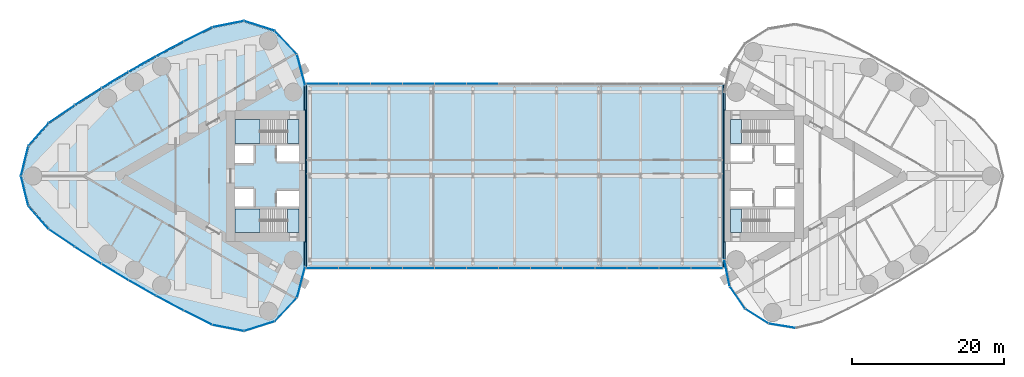
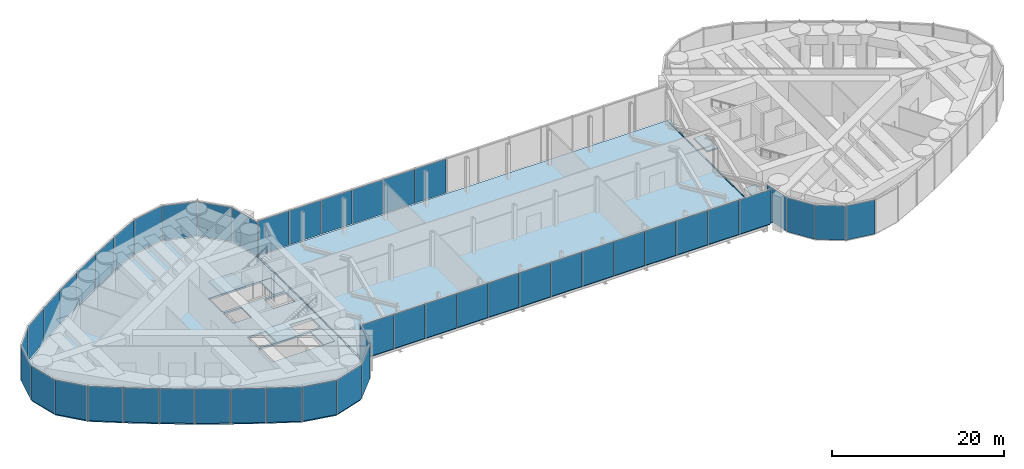
# One storey, part 13 of 19: 49 plates, 8 slabs, 8 elements without a shape of their own.
"""IFC4 building model written with IfcOpenShell, lengths in metres."""

from ifc_helpers import new_model, si_unit, direction, frame, origin, origin_2d, place, context, subcontext, project, spatial, polyline, rectangle, outline, extrude, material, layer, layer_set, type_object, element, aggregate, save


model = new_model("IFC4")

# Units and contexts
model_context = context("Model", 3, precision=1e-05, world=origin(), true_north=direction((0.0, 1.0)))
body_context = subcontext(model_context, "Body", "Model", "MODEL_VIEW")
ifc_project = project(units=[si_unit("LENGTHUNIT", "METRE"), si_unit("AREAUNIT", "SQUARE_METRE"), si_unit("VOLUMEUNIT", "CUBIC_METRE"), si_unit("PLANEANGLEUNIT", "RADIAN"), si_unit("MASSUNIT", "GRAM", prefix="KILO")], contexts=[model_context])

# Site, building, storey
site_placement = place(None, origin())
site = spatial("IfcSite", under=ifc_project, at=site_placement, CompositionType="ELEMENT")
building_placement = place(site_placement, origin())
building = spatial("IfcBuilding", under=site, at=building_placement, Name="Lancet Gate Hotel", CompositionType="ELEMENT")
storey_placement = place(building_placement, frame((0.0, 0.0, 263.300048828125)))
storey = spatial("IfcBuildingStorey", under=building, at=storey_placement, Name="L69", CompositionType="ELEMENT", Elevation=263.300048828125)

# Slabs
ifc_material_1 = material(Name="Concrete C40/50", Category="concrete")
ifc_layer_1 = layer(ifc_material_1, 0.199951171875)
ifc_layer_set_1 = layer_set([ifc_layer_1], Name="Composite floor slab 200")
slab_type_1 = type_object("IfcSlabType", Name="Composite floor slab 200", PredefinedType="FLOOR", material=ifc_layer_set_1)
slab_1_placement = place(storey_placement, frame((0.0, 0.0, -0.199951171875)))
element("IfcSlab", 1, at=slab_1_placement, inside=storey, type_object=slab_type_1, Name="Bridge block L69 floor slab", PredefinedType="FLOOR", context=body_context, shape_type="SweptSolid", body=[
    extrude(outline(polyline([(27.35009765625, -12.0), (27.35009765625, 12.0), (-27.35009765625, 12.0), (-27.35009765625, -12.0), (27.35009765625, -12.0)])), origin(), (0.0, 0.0, 1.0), 0.199951171875),
])
ifc_material_2 = material(Name="Concrete C50/60", Category="concrete")
ifc_layer_2 = layer(ifc_material_2, 0.25)
ifc_layer_set_2 = layer_set([ifc_layer_2], Name="Floor slab 250")
slab_type_2 = type_object("IfcSlabType", Name="Floor slab 250", PredefinedType="FLOOR", material=ifc_layer_set_2)
slab_2_placement = place(storey_placement, frame((0.0, 0.0, -0.25)))
element("IfcSlab", 2, at=slab_2_placement, inside=storey, type_object=slab_type_2, Name="T1 L69 floor slab", PredefinedType="FLOOR", context=body_context, shape_type="SweptSolid", body=[
    extrude(outline(polyline([(-27.6201171875, 8.60009765625), (-27.6201171875, 11.84619140625), (-28.668701171875, 15.912353515625), (-31.542236328125, 18.95263671875), (-35.52783203125, 20.22412109375), (-39.645751953125, 19.40673828125), (-43.344482421875, 17.565673828125), (-47.005126953125, 15.618896484375), (-50.61181640625, 13.574462890625), (-54.162353515625, 11.43359375), (-57.654052734375, 9.197998046875), (-61.072998046875, 6.876708984375), (-63.71240234375, 3.871337890625), (-64.66064453125, 0.0), (-63.71240234375, -3.871337890625), (-61.072998046875, -6.876708984375), (-57.654052734375, -9.197998046875), (-54.162353515625, -11.43359375), (-50.61181640625, -13.574462890625), (-47.005126953125, -15.618896484375), (-43.344482421875, -17.565673828125), (-39.645751953125, -19.40673828125), (-35.52783203125, -20.22412109375), (-31.542236328125, -18.95263671875), (-28.668701171875, -15.912353515625), (-27.6201171875, -11.84619140625), (-27.6201171875, -8.60009765625), (-27.5, -8.60009765625), (-27.5, -8.199951171875), (-27.5, 8.199951171875), (-27.5, 8.60009765625), (-27.6201171875, 8.60009765625)]), holes=[polyline([(-28.300048828125, 7.39990234375), (-36.699951171875, 7.39990234375), (-36.699951171875, 4.300048828125), (-28.300048828125, 4.300048828125), (-28.300048828125, 7.39990234375)]), polyline([(-28.300048828125, 1.89990234375), (-28.300048828125, 4.0), (-31.199951171875, 4.0), (-31.199951171875, 1.89990234375), (-28.300048828125, 1.89990234375)]), polyline([(-34.25, 1.64990234375), (-34.25, 4.0), (-36.699951171875, 4.0), (-36.699951171875, 1.64990234375), (-34.25, 1.64990234375)]), polyline([(-34.25, -1.64990234375), (-36.699951171875, -1.64990234375), (-36.699951171875, -4.0), (-34.25, -4.0), (-34.25, -1.64990234375)]), polyline([(-28.300048828125, -4.0), (-28.300048828125, -1.89990234375), (-31.199951171875, -1.89990234375), (-31.199951171875, -4.0), (-28.300048828125, -4.0)]), polyline([(-28.300048828125, -7.39990234375), (-28.300048828125, -4.300048828125), (-36.699951171875, -4.300048828125), (-36.699951171875, -7.39990234375), (-28.300048828125, -7.39990234375)])]), origin(), (0.0, 0.0, 1.0), 0.25),
])

# Curtain wall, plates
ifc_material_3 = material(Name="Aluminium curtain wall", Category="aluminium")
curtain_wall_type = type_object("IfcCurtainWallType", Name="Lantern crown glazing", PredefinedType="USERDEFINED", material=ifc_material_3)
curtain_wall_1_placement = place(storey_placement, origin())
curtain_wall_1 = element("IfcCurtainWall", 3, at=curtain_wall_1_placement, inside=storey, type_object=curtain_wall_type, Name="T1 L69 curtain wall 1", ObjectType="LANTERN GLAZING", PredefinedType="USERDEFINED")
ifc_material_4 = material(Name="Laminated low-iron glass 12-12", Category="glass")
ifc_layer_3 = layer(ifc_material_4, 0.02392578125)
ifc_layer_set_3 = layer_set([ifc_layer_3], Name="Lantern glass panel")
plate_type_1 = type_object("IfcPlateType", Name="Lantern glass panel", PredefinedType="CURTAIN_PANEL", material=ifc_layer_set_3)
plate_1_placement = place(storey_placement, frame((-28.030029296875, 13.9169921875, 0.0), z_axis=(0.0, 0.0, 1.0), x_axis=(-0.249725827997, 0.968316586056, 0.0)))
plate_1 = element("IfcPlate", 4, at=plate_1_placement, type_object=plate_type_1, Name="T1 L69 curtain wall 1 panel 1", PredefinedType="CURTAIN_PANEL", context=body_context, shape_type="SweptSolid", body=[
    extrude(rectangle(XDim=4.180419921875, YDim=0.02392578125, at=origin_2d()), origin(), (0.0, 0.0, 1.0), 4.85009765625),
])
plate_2_placement = place(storey_placement, frame((-30.018310546875, 17.514892578125, 0.0), z_axis=(0.0, 0.0, 1.0), x_axis=(-0.686882887577, 0.726768118972, 0.0)))
plate_2 = element("IfcPlate", 5, at=plate_2_placement, type_object=plate_type_1, Name="T1 L69 curtain wall 1 panel 2", PredefinedType="CURTAIN_PANEL", context=body_context, shape_type="SweptSolid", body=[
    extrude(rectangle(XDim=4.180419921875, YDim=0.02392578125, at=origin_2d()), origin(), (0.0, 0.0, 1.0), 4.85009765625),
])
plate_3_placement = place(storey_placement, frame((-33.49853515625, 19.702880859375, 0.0), z_axis=(0.0, 0.0, 1.0), x_axis=(-0.952695666833, 0.303925922549, 0.0)))
plate_3 = element("IfcPlate", 6, at=plate_3_placement, type_object=plate_type_1, Name="T1 L69 curtain wall 1 panel 3", PredefinedType="CURTAIN_PANEL", context=body_context, shape_type="SweptSolid", body=[
    extrude(rectangle(XDim=4.180419921875, YDim=0.02392578125, at=origin_2d()), origin(), (0.0, 0.0, 1.0), 4.85009765625),
])
plate_4_placement = place(storey_placement, frame((-37.602783203125, 19.9345703125, 0.0), z_axis=(0.0, 0.0, 1.0), x_axis=(-0.980856647866, -0.194731189942, 0.0)))
plate_4 = element("IfcPlate", 7, at=plate_4_placement, type_object=plate_type_1, Name="T1 L69 curtain wall 1 panel 4", PredefinedType="CURTAIN_PANEL", context=body_context, shape_type="SweptSolid", body=[
    extrude(rectangle(XDim=4.180419921875, YDim=0.02392578125, at=origin_2d()), origin(), (0.0, 0.0, 1.0), 4.85009765625),
])
plate_5_placement = place(storey_placement, frame((-41.5419921875, 18.5966796875, 0.0), z_axis=(0.0, 0.0, 1.0), x_axis=(-0.895234030262, -0.445596264639, 0.0)))
plate_5 = element("IfcPlate", 8, at=plate_5_placement, type_object=plate_type_1, Name="T1 L69 curtain wall 1 panel 5", PredefinedType="CURTAIN_PANEL", context=body_context, shape_type="SweptSolid", body=[
    extrude(rectangle(XDim=4.084228515625, YDim=0.02392578125, at=origin_2d()), origin(), (0.0, 0.0, 1.0), 4.85009765625),
])
plate_6_placement = place(storey_placement, frame((-45.23095703125, 16.6982421875, 0.0), z_axis=(0.0, 0.0, 1.0), x_axis=(-0.882915941615, -0.469531085277, 0.0)))
plate_6 = element("IfcPlate", 9, at=plate_6_placement, type_object=plate_type_1, Name="T1 L69 curtain wall 1 panel 6", PredefinedType="CURTAIN_PANEL", context=body_context, shape_type="SweptSolid", body=[
    extrude(rectangle(XDim=4.084228515625, YDim=0.02392578125, at=origin_2d()), origin(), (0.0, 0.0, 1.0), 4.85009765625),
])
plate_7_placement = place(storey_placement, frame((-48.86767578125, 14.701171875, 0.0), z_axis=(0.0, 0.0, 1.0), x_axis=(-0.869958082404, -0.493125678565, 0.0)))
plate_7 = element("IfcPlate", 10, at=plate_7_placement, type_object=plate_type_1, Name="T1 L69 curtain wall 1 panel 7", PredefinedType="CURTAIN_PANEL", context=body_context, shape_type="SweptSolid", body=[
    extrude(rectangle(XDim=4.084228515625, YDim=0.02392578125, at=origin_2d()), origin(), (0.0, 0.0, 1.0), 4.85009765625),
])
plate_8_placement = place(storey_placement, frame((-52.44921875, 12.606689453125, 0.0), z_axis=(0.0, 0.0, 1.0), x_axis=(-0.85636984205, -0.516362947574, 0.0)))
plate_8 = element("IfcPlate", 11, at=plate_8_placement, type_object=plate_type_1, Name="T1 L69 curtain wall 1 panel 8", PredefinedType="CURTAIN_PANEL", context=body_context, shape_type="SweptSolid", body=[
    extrude(rectangle(XDim=4.084228515625, YDim=0.02392578125, at=origin_2d()), origin(), (0.0, 0.0, 1.0), 4.85009765625),
])
plate_9_placement = place(storey_placement, frame((-55.972900390625, 10.416748046875, 0.0), z_axis=(0.0, 0.0, 1.0), x_axis=(-0.842161066725, -0.539226054352, 0.0)))
plate_9 = element("IfcPlate", 12, at=plate_9_placement, type_object=plate_type_1, Name="T1 L69 curtain wall 1 panel 9", PredefinedType="CURTAIN_PANEL", context=body_context, shape_type="SweptSolid", body=[
    extrude(rectangle(XDim=4.084228515625, YDim=0.02392578125, at=origin_2d()), origin(), (0.0, 0.0, 1.0), 4.85009765625),
])
plate_10_placement = place(storey_placement, frame((-59.4365234375, 8.1328125, 0.0), z_axis=(0.0, 0.0, 1.0), x_axis=(-0.827342052281, -0.561698432014, 0.0)))
plate_10 = element("IfcPlate", 13, at=plate_10_placement, type_object=plate_type_1, Name="T1 L69 curtain wall 1 panel 10", PredefinedType="CURTAIN_PANEL", context=body_context, shape_type="SweptSolid", body=[
    extrude(rectangle(XDim=4.084228515625, YDim=0.02392578125, at=origin_2d()), origin(), (0.0, 0.0, 1.0), 4.85009765625),
])
plate_11_placement = place(storey_placement, frame((-62.487548828125, 5.447998046875, 0.0), z_axis=(0.0, 0.0, 1.0), x_axis=(-0.659891635916, -0.751360784742, 0.0)))
plate_11 = element("IfcPlate", 14, at=plate_11_placement, type_object=plate_type_1, Name="T1 L69 curtain wall 1 panel 11", PredefinedType="CURTAIN_PANEL", context=body_context, shape_type="SweptSolid", body=[
    extrude(rectangle(XDim=3.979736328125, YDim=0.02392578125, at=origin_2d()), origin(), (0.0, 0.0, 1.0), 4.85009765625),
])
plate_12_placement = place(storey_placement, frame((-64.30322265625, 1.96435546875, 0.0), z_axis=(0.0, 0.0, 1.0), x_axis=(-0.237921018621, -0.971284504612, 0.0)))
plate_12 = element("IfcPlate", 15, at=plate_12_placement, type_object=plate_type_1, Name="T1 L69 curtain wall 1 panel 12", PredefinedType="CURTAIN_PANEL", context=body_context, shape_type="SweptSolid", body=[
    extrude(rectangle(XDim=3.979736328125, YDim=0.02392578125, at=origin_2d()), origin(), (0.0, 0.0, 1.0), 4.85009765625),
])
plate_13_placement = place(storey_placement, frame((-64.30322265625, -1.96435546875, 0.0), z_axis=(0.0, 0.0, 1.0), x_axis=(0.237921018621, -0.971284504612, 0.0)))
plate_13 = element("IfcPlate", 16, at=plate_13_placement, type_object=plate_type_1, Name="T1 L69 curtain wall 1 panel 13", PredefinedType="CURTAIN_PANEL", context=body_context, shape_type="SweptSolid", body=[
    extrude(rectangle(XDim=3.979736328125, YDim=0.02392578125, at=origin_2d()), origin(), (0.0, 0.0, 1.0), 4.85009765625),
])
plate_14_placement = place(storey_placement, frame((-62.487548828125, -5.447998046875, 0.0), z_axis=(0.0, 0.0, 1.0), x_axis=(0.659891635916, -0.751360784742, 0.0)))
plate_14 = element("IfcPlate", 17, at=plate_14_placement, type_object=plate_type_1, Name="T1 L69 curtain wall 1 panel 14", PredefinedType="CURTAIN_PANEL", context=body_context, shape_type="SweptSolid", body=[
    extrude(rectangle(XDim=3.979736328125, YDim=0.02392578125, at=origin_2d()), origin(), (0.0, 0.0, 1.0), 4.85009765625),
])
plate_15_placement = place(storey_placement, frame((-59.4365234375, -8.1328125, 0.0), z_axis=(0.0, 0.0, 1.0), x_axis=(0.827342052281, -0.561698432014, 0.0)))
plate_15 = element("IfcPlate", 18, at=plate_15_placement, type_object=plate_type_1, Name="T1 L69 curtain wall 1 panel 15", PredefinedType="CURTAIN_PANEL", context=body_context, shape_type="SweptSolid", body=[
    extrude(rectangle(XDim=4.084228515625, YDim=0.02392578125, at=origin_2d()), origin(), (0.0, 0.0, 1.0), 4.85009765625),
])
plate_16_placement = place(storey_placement, frame((-55.972900390625, -10.416748046875, 0.0), z_axis=(0.0, 0.0, 1.0), x_axis=(0.842161066725, -0.539226054352, 0.0)))
plate_16 = element("IfcPlate", 19, at=plate_16_placement, type_object=plate_type_1, Name="T1 L69 curtain wall 1 panel 16", PredefinedType="CURTAIN_PANEL", context=body_context, shape_type="SweptSolid", body=[
    extrude(rectangle(XDim=4.084228515625, YDim=0.02392578125, at=origin_2d()), origin(), (0.0, 0.0, 1.0), 4.85009765625),
])
plate_17_placement = place(storey_placement, frame((-52.44921875, -12.606689453125, 0.0), z_axis=(0.0, 0.0, 1.0), x_axis=(0.85636984205, -0.516362947574, 0.0)))
plate_17 = element("IfcPlate", 20, at=plate_17_placement, type_object=plate_type_1, Name="T1 L69 curtain wall 1 panel 17", PredefinedType="CURTAIN_PANEL", context=body_context, shape_type="SweptSolid", body=[
    extrude(rectangle(XDim=4.084228515625, YDim=0.02392578125, at=origin_2d()), origin(), (0.0, 0.0, 1.0), 4.85009765625),
])
plate_18_placement = place(storey_placement, frame((-48.86767578125, -14.701171875, 0.0), z_axis=(0.0, 0.0, 1.0), x_axis=(0.869958082404, -0.493125678565, 0.0)))
plate_18 = element("IfcPlate", 21, at=plate_18_placement, type_object=plate_type_1, Name="T1 L69 curtain wall 1 panel 18", PredefinedType="CURTAIN_PANEL", context=body_context, shape_type="SweptSolid", body=[
    extrude(rectangle(XDim=4.084228515625, YDim=0.02392578125, at=origin_2d()), origin(), (0.0, 0.0, 1.0), 4.85009765625),
])
plate_19_placement = place(storey_placement, frame((-45.23095703125, -16.6982421875, 0.0), z_axis=(0.0, 0.0, 1.0), x_axis=(0.882915941615, -0.469531085277, 0.0)))
plate_19 = element("IfcPlate", 22, at=plate_19_placement, type_object=plate_type_1, Name="T1 L69 curtain wall 1 panel 19", PredefinedType="CURTAIN_PANEL", context=body_context, shape_type="SweptSolid", body=[
    extrude(rectangle(XDim=4.084228515625, YDim=0.02392578125, at=origin_2d()), origin(), (0.0, 0.0, 1.0), 4.85009765625),
])
plate_20_placement = place(storey_placement, frame((-41.5419921875, -18.5966796875, 0.0), z_axis=(0.0, 0.0, 1.0), x_axis=(0.895234030262, -0.445596264639, 0.0)))
plate_20 = element("IfcPlate", 23, at=plate_20_placement, type_object=plate_type_1, Name="T1 L69 curtain wall 1 panel 20", PredefinedType="CURTAIN_PANEL", context=body_context, shape_type="SweptSolid", body=[
    extrude(rectangle(XDim=4.084228515625, YDim=0.02392578125, at=origin_2d()), origin(), (0.0, 0.0, 1.0), 4.85009765625),
])
plate_21_placement = place(storey_placement, frame((-37.602783203125, -19.9345703125, 0.0), z_axis=(0.0, 0.0, 1.0), x_axis=(0.980856647866, -0.194731189942, 0.0)))
plate_21 = element("IfcPlate", 24, at=plate_21_placement, type_object=plate_type_1, Name="T1 L69 curtain wall 1 panel 21", PredefinedType="CURTAIN_PANEL", context=body_context, shape_type="SweptSolid", body=[
    extrude(rectangle(XDim=4.180419921875, YDim=0.02392578125, at=origin_2d()), origin(), (0.0, 0.0, 1.0), 4.85009765625),
])
plate_22_placement = place(storey_placement, frame((-33.49853515625, -19.702880859375, 0.0), z_axis=(0.0, 0.0, 1.0), x_axis=(0.952695666833, 0.303925922549, 0.0)))
plate_22 = element("IfcPlate", 25, at=plate_22_placement, type_object=plate_type_1, Name="T1 L69 curtain wall 1 panel 22", PredefinedType="CURTAIN_PANEL", context=body_context, shape_type="SweptSolid", body=[
    extrude(rectangle(XDim=4.180419921875, YDim=0.02392578125, at=origin_2d()), origin(), (0.0, 0.0, 1.0), 4.85009765625),
])
plate_23_placement = place(storey_placement, frame((-30.018310546875, -17.514892578125, 0.0), z_axis=(0.0, 0.0, 1.0), x_axis=(0.686882887577, 0.726768118972, 0.0)))
plate_23 = element("IfcPlate", 26, at=plate_23_placement, type_object=plate_type_1, Name="T1 L69 curtain wall 1 panel 23", PredefinedType="CURTAIN_PANEL", context=body_context, shape_type="SweptSolid", body=[
    extrude(rectangle(XDim=4.180419921875, YDim=0.02392578125, at=origin_2d()), origin(), (0.0, 0.0, 1.0), 4.85009765625),
])
plate_24_placement = place(storey_placement, frame((-28.030029296875, -13.9169921875, 0.0), z_axis=(0.0, 0.0, 1.0), x_axis=(0.249725827997, 0.968316586056, 0.0)))
plate_24 = element("IfcPlate", 27, at=plate_24_placement, type_object=plate_type_1, Name="T1 L69 curtain wall 1 panel 24", PredefinedType="CURTAIN_PANEL", context=body_context, shape_type="SweptSolid", body=[
    extrude(rectangle(XDim=4.180419921875, YDim=0.02392578125, at=origin_2d()), origin(), (0.0, 0.0, 1.0), 4.85009765625),
])
aggregate(curtain_wall_1, [plate_1, plate_2, plate_3, plate_4, plate_5, plate_6, plate_7, plate_8, plate_9, plate_10, plate_11, plate_12, plate_13, plate_14, plate_15, plate_16, plate_17, plate_18, plate_19, plate_20, plate_21, plate_22, plate_23, plate_24])

curtain_wall_2_placement = place(storey_placement, origin())
curtain_wall_2 = element("IfcCurtainWall", 28, at=curtain_wall_2_placement, inside=storey, type_object=curtain_wall_type, Name="T2 L69 curtain wall 1", ObjectType="LANTERN GLAZING", PredefinedType="USERDEFINED")
plate_25_placement = place(storey_placement, frame((27.8583984375, -12.707763671875, 0.0), z_axis=(0.0, 0.0, 1.0), x_axis=(0.199533486841, -0.979891008036, 0.0)))
plate_25 = element("IfcPlate", 29, at=plate_25_placement, type_object=plate_type_1, Name="T2 L69 curtain wall 1 panel 1", PredefinedType="CURTAIN_PANEL", context=body_context, shape_type="SweptSolid", body=[
    extrude(rectangle(XDim=3.526611328125, YDim=0.02392578125, at=origin_2d()), origin(), (0.0, 0.0, 1.0), 4.85009765625),
])
plate_26_placement = place(storey_placement, frame((29.234619140625, -15.947021484375, 0.0), z_axis=(0.0, 0.0, 1.0), x_axis=(0.566823864908, -0.823839005007, 0.0)))
plate_26 = element("IfcPlate", 30, at=plate_26_placement, type_object=plate_type_1, Name="T2 L69 curtain wall 1 panel 2", PredefinedType="CURTAIN_PANEL", context=body_context, shape_type="SweptSolid", body=[
    extrude(rectangle(XDim=3.526611328125, YDim=0.02392578125, at=origin_2d()), origin(), (0.0, 0.0, 1.0), 4.85009765625),
])
plate_27_placement = place(storey_placement, frame((31.767822265625, -18.389892578125, 0.0), z_axis=(0.0, 0.0, 1.0), x_axis=(0.843845020422, -0.536586974785, 0.0)))
plate_27 = element("IfcPlate", 31, at=plate_27_placement, type_object=plate_type_1, Name="T2 L69 curtain wall 1 panel 3", PredefinedType="CURTAIN_PANEL", context=body_context, shape_type="SweptSolid", body=[
    extrude(rectangle(XDim=3.526611328125, YDim=0.02392578125, at=origin_2d()), origin(), (0.0, 0.0, 1.0), 4.85009765625),
])
plate_28_placement = place(storey_placement, frame((35.0546875, -19.64794921875, 0.0), z_axis=(0.0, 0.0, 1.0), x_axis=(0.986480101775, -0.163881081283, 0.0)))
plate_28 = element("IfcPlate", 32, at=plate_28_placement, type_object=plate_type_1, Name="T2 L69 curtain wall 1 panel 4", PredefinedType="CURTAIN_PANEL", context=body_context, shape_type="SweptSolid", body=[
    extrude(rectangle(XDim=3.526611328125, YDim=0.02392578125, at=origin_2d()), origin(), (0.0, 0.0, 1.0), 4.85009765625),
])
aggregate(curtain_wall_2, [plate_25, plate_26, plate_27, plate_28])

curtain_wall_3_placement = place(storey_placement, origin())
curtain_wall_3 = element("IfcCurtainWall", 33, at=curtain_wall_3_placement, inside=storey, type_object=curtain_wall_type, Name="Bridge block L69 curtain wall S", ObjectType="LANTERN GLAZING", PredefinedType="USERDEFINED")
plate_29_placement = place(storey_placement, frame((-25.24609375, -12.1201171875, 0.0), z_axis=(0.0, 0.0, 1.0), x_axis=(1.0, 0.0, 0.0)))
plate_29 = element("IfcPlate", 34, at=plate_29_placement, type_object=plate_type_1, Name="Bridge block L69 curtain wall S panel 1", PredefinedType="CURTAIN_PANEL", context=body_context, shape_type="SweptSolid", body=[
    extrude(rectangle(XDim=4.142578125, YDim=0.02392578125, at=origin_2d()), origin(), (0.0, 0.0, 1.0), 4.85009765625),
])
plate_30_placement = place(storey_placement, frame((-21.03857421875, -12.1201171875, 0.0), z_axis=(0.0, 0.0, 1.0), x_axis=(1.0, 0.0, 0.0)))
plate_30 = element("IfcPlate", 35, at=plate_30_placement, type_object=plate_type_1, Name="Bridge block L69 curtain wall S panel 2", PredefinedType="CURTAIN_PANEL", context=body_context, shape_type="SweptSolid", body=[
    extrude(rectangle(XDim=4.142578125, YDim=0.02392578125, at=origin_2d()), origin(), (0.0, 0.0, 1.0), 4.85009765625),
])
plate_31_placement = place(storey_placement, frame((-16.830810546875, -12.1201171875, 0.0), z_axis=(0.0, 0.0, 1.0), x_axis=(1.0, 0.0, 0.0)))
plate_31 = element("IfcPlate", 36, at=plate_31_placement, type_object=plate_type_1, Name="Bridge block L69 curtain wall S panel 3", PredefinedType="CURTAIN_PANEL", context=body_context, shape_type="SweptSolid", body=[
    extrude(rectangle(XDim=4.142578125, YDim=0.02392578125, at=origin_2d()), origin(), (0.0, 0.0, 1.0), 4.85009765625),
])
plate_32_placement = place(storey_placement, frame((-12.623046875, -12.1201171875, 0.0), z_axis=(0.0, 0.0, 1.0), x_axis=(1.0, 0.0, 0.0)))
plate_32 = element("IfcPlate", 37, at=plate_32_placement, type_object=plate_type_1, Name="Bridge block L69 curtain wall S panel 4", PredefinedType="CURTAIN_PANEL", context=body_context, shape_type="SweptSolid", body=[
    extrude(rectangle(XDim=4.142578125, YDim=0.02392578125, at=origin_2d()), origin(), (0.0, 0.0, 1.0), 4.85009765625),
])
plate_33_placement = place(storey_placement, frame((-8.415283203125, -12.1201171875, 0.0), z_axis=(0.0, 0.0, 1.0), x_axis=(1.0, 0.0, 0.0)))
plate_33 = element("IfcPlate", 38, at=plate_33_placement, type_object=plate_type_1, Name="Bridge block L69 curtain wall S panel 5", PredefinedType="CURTAIN_PANEL", context=body_context, shape_type="SweptSolid", body=[
    extrude(rectangle(XDim=4.142578125, YDim=0.02392578125, at=origin_2d()), origin(), (0.0, 0.0, 1.0), 4.85009765625),
])
plate_34_placement = place(storey_placement, frame((-4.207763671875, -12.1201171875, 0.0), z_axis=(0.0, 0.0, 1.0), x_axis=(1.0, 0.0, 0.0)))
plate_34 = element("IfcPlate", 39, at=plate_34_placement, type_object=plate_type_1, Name="Bridge block L69 curtain wall S panel 6", PredefinedType="CURTAIN_PANEL", context=body_context, shape_type="SweptSolid", body=[
    extrude(rectangle(XDim=4.142578125, YDim=0.02392578125, at=origin_2d()), origin(), (0.0, 0.0, 1.0), 4.85009765625),
])
plate_35_placement = place(storey_placement, frame((0.0, -12.1201171875, 0.0), z_axis=(0.0, 0.0, 1.0), x_axis=(1.0, 0.0, 0.0)))
plate_35 = element("IfcPlate", 40, at=plate_35_placement, type_object=plate_type_1, Name="Bridge block L69 curtain wall S panel 7", PredefinedType="CURTAIN_PANEL", context=body_context, shape_type="SweptSolid", body=[
    extrude(rectangle(XDim=4.142578125, YDim=0.02392578125, at=origin_2d()), origin(), (0.0, 0.0, 1.0), 4.85009765625),
])
plate_36_placement = place(storey_placement, frame((4.207763671875, -12.1201171875, 0.0), z_axis=(0.0, 0.0, 1.0), x_axis=(1.0, 0.0, 0.0)))
plate_36 = element("IfcPlate", 41, at=plate_36_placement, type_object=plate_type_1, Name="Bridge block L69 curtain wall S panel 8", PredefinedType="CURTAIN_PANEL", context=body_context, shape_type="SweptSolid", body=[
    extrude(rectangle(XDim=4.142578125, YDim=0.02392578125, at=origin_2d()), origin(), (0.0, 0.0, 1.0), 4.85009765625),
])
plate_37_placement = place(storey_placement, frame((8.415283203125, -12.1201171875, 0.0), z_axis=(0.0, 0.0, 1.0), x_axis=(1.0, 0.0, 0.0)))
plate_37 = element("IfcPlate", 42, at=plate_37_placement, type_object=plate_type_1, Name="Bridge block L69 curtain wall S panel 9", PredefinedType="CURTAIN_PANEL", context=body_context, shape_type="SweptSolid", body=[
    extrude(rectangle(XDim=4.142578125, YDim=0.02392578125, at=origin_2d()), origin(), (0.0, 0.0, 1.0), 4.85009765625),
])
plate_38_placement = place(storey_placement, frame((12.623046875, -12.1201171875, 0.0), z_axis=(0.0, 0.0, 1.0), x_axis=(1.0, 0.0, 0.0)))
plate_38 = element("IfcPlate", 43, at=plate_38_placement, type_object=plate_type_1, Name="Bridge block L69 curtain wall S panel 10", PredefinedType="CURTAIN_PANEL", context=body_context, shape_type="SweptSolid", body=[
    extrude(rectangle(XDim=4.142578125, YDim=0.02392578125, at=origin_2d()), origin(), (0.0, 0.0, 1.0), 4.85009765625),
])
plate_39_placement = place(storey_placement, frame((16.830810546875, -12.1201171875, 0.0), z_axis=(0.0, 0.0, 1.0), x_axis=(1.0, 0.0, 0.0)))
plate_39 = element("IfcPlate", 44, at=plate_39_placement, type_object=plate_type_1, Name="Bridge block L69 curtain wall S panel 11", PredefinedType="CURTAIN_PANEL", context=body_context, shape_type="SweptSolid", body=[
    extrude(rectangle(XDim=4.142578125, YDim=0.02392578125, at=origin_2d()), origin(), (0.0, 0.0, 1.0), 4.85009765625),
])
plate_40_placement = place(storey_placement, frame((21.03857421875, -12.1201171875, 0.0), z_axis=(0.0, 0.0, 1.0), x_axis=(1.0, 0.0, 0.0)))
plate_40 = element("IfcPlate", 45, at=plate_40_placement, type_object=plate_type_1, Name="Bridge block L69 curtain wall S panel 12", PredefinedType="CURTAIN_PANEL", context=body_context, shape_type="SweptSolid", body=[
    extrude(rectangle(XDim=4.142578125, YDim=0.02392578125, at=origin_2d()), origin(), (0.0, 0.0, 1.0), 4.85009765625),
])
plate_41_placement = place(storey_placement, frame((25.24609375, -12.1201171875, 0.0), z_axis=(0.0, 0.0, 1.0), x_axis=(1.0, 0.0, 0.0)))
plate_41 = element("IfcPlate", 46, at=plate_41_placement, type_object=plate_type_1, Name="Bridge block L69 curtain wall S panel 13", PredefinedType="CURTAIN_PANEL", context=body_context, shape_type="SweptSolid", body=[
    extrude(rectangle(XDim=4.142578125, YDim=0.02392578125, at=origin_2d()), origin(), (0.0, 0.0, 1.0), 4.85009765625),
])
aggregate(curtain_wall_3, [plate_29, plate_30, plate_31, plate_32, plate_33, plate_34, plate_35, plate_36, plate_37, plate_38, plate_39, plate_40, plate_41])

curtain_wall_4_placement = place(storey_placement, origin())
curtain_wall_4 = element("IfcCurtainWall", 47, at=curtain_wall_4_placement, inside=storey, type_object=curtain_wall_type, Name="Bridge block L69 curtain wall N", ObjectType="LANTERN GLAZING", PredefinedType="USERDEFINED")
plate_42_placement = place(storey_placement, frame((-4.207763671875, 12.1201171875, 0.0), z_axis=(0.0, 0.0, 1.0), x_axis=(-1.0, 0.0, 0.0)))
plate_42 = element("IfcPlate", 48, at=plate_42_placement, type_object=plate_type_1, Name="Bridge block L69 curtain wall N panel 8", PredefinedType="CURTAIN_PANEL", context=body_context, shape_type="SweptSolid", body=[
    extrude(rectangle(XDim=4.142578125, YDim=0.02392578125, at=origin_2d()), origin(), (0.0, 0.0, 1.0), 4.85009765625),
])
plate_43_placement = place(storey_placement, frame((-8.415283203125, 12.1201171875, 0.0), z_axis=(0.0, 0.0, 1.0), x_axis=(-1.0, 0.0, 0.0)))
plate_43 = element("IfcPlate", 49, at=plate_43_placement, type_object=plate_type_1, Name="Bridge block L69 curtain wall N panel 9", PredefinedType="CURTAIN_PANEL", context=body_context, shape_type="SweptSolid", body=[
    extrude(rectangle(XDim=4.142578125, YDim=0.02392578125, at=origin_2d()), origin(), (0.0, 0.0, 1.0), 4.85009765625),
])
plate_44_placement = place(storey_placement, frame((-12.623046875, 12.1201171875, 0.0), z_axis=(0.0, 0.0, 1.0), x_axis=(-1.0, 0.0, 0.0)))
plate_44 = element("IfcPlate", 50, at=plate_44_placement, type_object=plate_type_1, Name="Bridge block L69 curtain wall N panel 10", PredefinedType="CURTAIN_PANEL", context=body_context, shape_type="SweptSolid", body=[
    extrude(rectangle(XDim=4.142578125, YDim=0.02392578125, at=origin_2d()), origin(), (0.0, 0.0, 1.0), 4.85009765625),
])
plate_45_placement = place(storey_placement, frame((-16.830810546875, 12.1201171875, 0.0), z_axis=(0.0, 0.0, 1.0), x_axis=(-1.0, 0.0, 0.0)))
plate_45 = element("IfcPlate", 51, at=plate_45_placement, type_object=plate_type_1, Name="Bridge block L69 curtain wall N panel 11", PredefinedType="CURTAIN_PANEL", context=body_context, shape_type="SweptSolid", body=[
    extrude(rectangle(XDim=4.142578125, YDim=0.02392578125, at=origin_2d()), origin(), (0.0, 0.0, 1.0), 4.85009765625),
])
plate_46_placement = place(storey_placement, frame((-21.03857421875, 12.1201171875, 0.0), z_axis=(0.0, 0.0, 1.0), x_axis=(-1.0, 0.0, 0.0)))
plate_46 = element("IfcPlate", 52, at=plate_46_placement, type_object=plate_type_1, Name="Bridge block L69 curtain wall N panel 12", PredefinedType="CURTAIN_PANEL", context=body_context, shape_type="SweptSolid", body=[
    extrude(rectangle(XDim=4.142578125, YDim=0.02392578125, at=origin_2d()), origin(), (0.0, 0.0, 1.0), 4.85009765625),
])
plate_47_placement = place(storey_placement, frame((-25.24609375, 12.1201171875, 0.0), z_axis=(0.0, 0.0, 1.0), x_axis=(-1.0, 0.0, 0.0)))
plate_47 = element("IfcPlate", 53, at=plate_47_placement, type_object=plate_type_1, Name="Bridge block L69 curtain wall N panel 13", PredefinedType="CURTAIN_PANEL", context=body_context, shape_type="SweptSolid", body=[
    extrude(rectangle(XDim=4.142578125, YDim=0.02392578125, at=origin_2d()), origin(), (0.0, 0.0, 1.0), 4.85009765625),
])
aggregate(curtain_wall_4, [plate_42, plate_43, plate_44, plate_45, plate_46, plate_47])

# Plates
ifc_material_5 = material(Name="Aluminium chequer plate", Category="aluminium")
ifc_layer_4 = layer(ifc_material_5, 0.014892578125)
ifc_layer_set_4 = layer_set([ifc_layer_4], Name="Movement joint cover plate 15")
plate_type_2 = type_object("IfcPlateType", Name="Movement joint cover plate 15", PredefinedType="SHEET", material=ifc_layer_set_4)
plate_48_placement = place(storey_placement, frame((0.0, 0.0, -0.01513671875)))
element("IfcPlate", 54, at=plate_48_placement, inside=storey, type_object=plate_type_2, Name="Movement joint cover plate T1 L69", PredefinedType="SHEET", context=body_context, shape_type="SweptSolid", body=[
    extrude(outline(polyline([(-27.35009765625, 12.0), (-27.65966796875, 12.0), (-27.6201171875, 11.84619140625), (-27.6201171875, 8.60009765625), (-27.5, 8.60009765625), (-27.5, 8.199951171875), (-27.5, -8.199951171875), (-27.5, -8.60009765625), (-27.6201171875, -8.60009765625), (-27.6201171875, -11.84619140625), (-27.65966796875, -12.0), (-27.35009765625, -12.0), (-27.35009765625, 12.0)])), origin(), (0.0, 0.0, 1.0), 0.01513671875),
])
plate_49_placement = place(storey_placement, frame((0.0, 0.0, -0.01513671875)))
element("IfcPlate", 55, at=plate_49_placement, inside=storey, type_object=plate_type_2, Name="Movement joint cover plate T2 L69", PredefinedType="SHEET", context=body_context, shape_type="SweptSolid", body=[
    extrude(outline(polyline([(27.35009765625, -12.0), (27.836669921875, -12.0), (27.6201171875, -10.93603515625), (27.6201171875, -8.60009765625), (27.5, -8.60009765625), (27.5, -8.199951171875), (27.5, 8.199951171875), (27.5, 8.60009765625), (27.6201171875, 8.60009765625), (27.6201171875, 10.93603515625), (27.836669921875, 12.0), (27.35009765625, 12.0), (27.35009765625, -12.0)])), origin(), (0.0, 0.0, 1.0), 0.01513671875),
])

# Stair, slabs
ifc_material_6 = material(Name="Exit stair 28 risers 1500")
stair_type = type_object("IfcStairType", Name="Exit stair 28 risers 1500", PredefinedType="HALF_TURN_STAIR", material=ifc_material_6)
stair_1_placement = place(storey_placement, origin())
stair_1 = element("IfcStair", 56, at=stair_1_placement, inside=storey, type_object=stair_type, Name="T1 stair 1 L69", PredefinedType="HALF_TURN_STAIR")
ifc_material_7 = material(Name="Concrete C40/50", Category="concrete")
ifc_layer_5 = layer(ifc_material_7, 0.199951171875)
ifc_layer_set_5 = layer_set([ifc_layer_5], Name="Stair landing 200")
slab_type_3 = type_object("IfcSlabType", Name="Stair landing 200", PredefinedType="LANDING", material=ifc_layer_set_5)
slab_3_placement = place(storey_placement, frame((0.0, 0.0, -0.199951171875)))
slab_3 = element("IfcSlab", 57, at=slab_3_placement, type_object=slab_type_3, Name="ST1 landing 1", PredefinedType="LANDING", context=body_context, shape_type="SweptSolid", body=[
    extrude(outline(polyline([(-28.300048828125, 7.39990234375), (-29.800048828125, 7.39990234375), (-29.800048828125, 4.300048828125), (-28.300048828125, 4.300048828125), (-28.300048828125, 7.39990234375)])), origin(), (0.0, 0.0, 1.0), 0.199951171875),
])
slab_4_placement = place(storey_placement, frame((0.0, 0.0, 2.300048828125)))
slab_4 = element("IfcSlab", 58, at=slab_4_placement, type_object=slab_type_3, Name="ST1 landing 2", PredefinedType="LANDING", context=body_context, shape_type="SweptSolid", body=[
    extrude(outline(polyline([(-33.43994140625, 7.39990234375), (-36.699951171875, 7.39990234375), (-36.699951171875, 4.300048828125), (-33.43994140625, 4.300048828125), (-33.43994140625, 7.39990234375)])), origin(), (0.0, 0.0, 1.0), 0.199951171875),
])
aggregate(stair_1, [slab_3, slab_4])

stair_2_placement = place(storey_placement, origin())
stair_2 = element("IfcStair", 59, at=stair_2_placement, inside=storey, type_object=stair_type, Name="T1 stair 2 L69", PredefinedType="HALF_TURN_STAIR")
slab_5_placement = place(storey_placement, frame((0.0, 0.0, -0.199951171875)))
slab_5 = element("IfcSlab", 60, at=slab_5_placement, type_object=slab_type_3, Name="ST2 landing 1", PredefinedType="LANDING", context=body_context, shape_type="SweptSolid", body=[
    extrude(outline(polyline([(-28.300048828125, -4.300048828125), (-29.800048828125, -4.300048828125), (-29.800048828125, -7.39990234375), (-28.300048828125, -7.39990234375), (-28.300048828125, -4.300048828125)])), origin(), (0.0, 0.0, 1.0), 0.199951171875),
])
slab_6_placement = place(storey_placement, frame((0.0, 0.0, 2.300048828125)))
slab_6 = element("IfcSlab", 61, at=slab_6_placement, type_object=slab_type_3, Name="ST2 landing 2", PredefinedType="LANDING", context=body_context, shape_type="SweptSolid", body=[
    extrude(outline(polyline([(-33.43994140625, -4.300048828125), (-36.699951171875, -4.300048828125), (-36.699951171875, -7.39990234375), (-33.43994140625, -7.39990234375), (-33.43994140625, -4.300048828125)])), origin(), (0.0, 0.0, 1.0), 0.199951171875),
])
aggregate(stair_2, [slab_5, slab_6])

# Stair, slab
stair_3_placement = place(storey_placement, origin())
stair_3 = element("IfcStair", 62, at=stair_3_placement, inside=storey, type_object=stair_type, Name="T2 stair 1 L69", PredefinedType="HALF_TURN_STAIR")
slab_7_placement = place(storey_placement, frame((0.0, 0.0, -0.199951171875)))
slab_7 = element("IfcSlab", 63, at=slab_7_placement, type_object=slab_type_3, Name="ST3 landing 1", PredefinedType="LANDING", context=body_context, shape_type="SweptSolid", body=[
    extrude(outline(polyline([(28.300048828125, -7.39990234375), (29.800048828125, -7.39990234375), (29.800048828125, -4.300048828125), (28.300048828125, -4.300048828125), (28.300048828125, -7.39990234375)])), origin(), (0.0, 0.0, 1.0), 0.199951171875),
])
aggregate(stair_3, [slab_7])

stair_4_placement = place(storey_placement, origin())
stair_4 = element("IfcStair", 64, at=stair_4_placement, inside=storey, type_object=stair_type, Name="T2 stair 2 L69", PredefinedType="HALF_TURN_STAIR")
slab_8_placement = place(storey_placement, frame((0.0, 0.0, -0.199951171875)))
slab_8 = element("IfcSlab", 65, at=slab_8_placement, type_object=slab_type_3, Name="ST4 landing 1", PredefinedType="LANDING", context=body_context, shape_type="SweptSolid", body=[
    extrude(outline(polyline([(28.300048828125, 4.300048828125), (29.800048828125, 4.300048828125), (29.800048828125, 7.39990234375), (28.300048828125, 7.39990234375), (28.300048828125, 4.300048828125)])), origin(), (0.0, 0.0, 1.0), 0.199951171875),
])
aggregate(stair_4, [slab_8])

save(model, "model.ifc")
